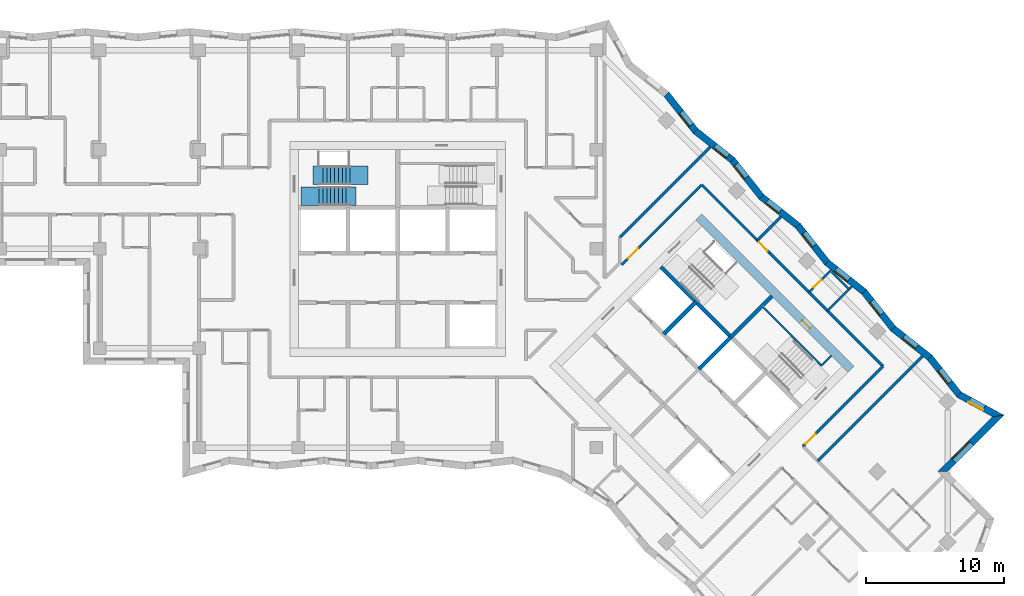
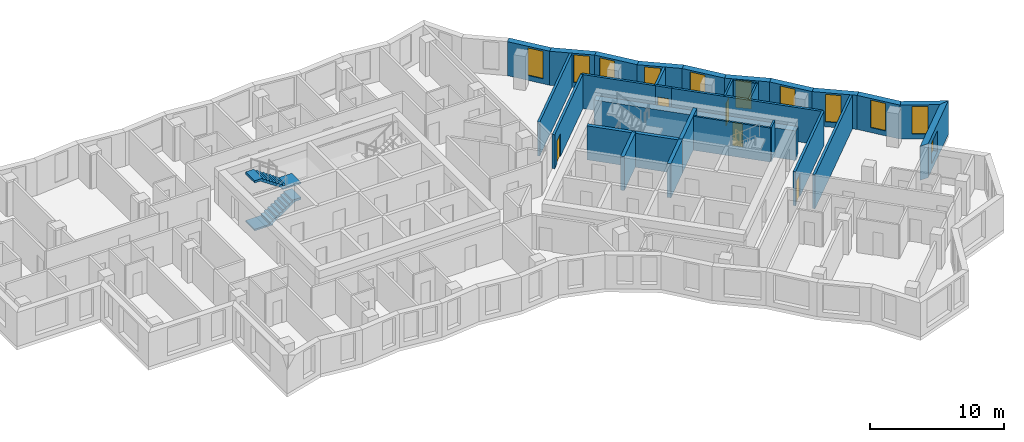
# One storey, part 9 of 12: 29 walls, 11 windows, 5 doors, 2 stair flights, 16 openings, 1 element without a shape of its own.
"""IFC4 building model written with IfcOpenShell, lengths in metres."""

import ifcopenshell
import ifcopenshell.guid

model = None  # the IFC model being written
_history = None  # IfcOwnerHistory: only IFC2X3 demands one
_inside = {}  # id of a spatial element -> (the spatial element, [elements in it])
_under = {}  # id of a project, library or spatial element -> (it, [spatial elements below it])
_declared = {}  # id of a project -> (the project, [libraries it declares])
_typed = {}  # id of a type object -> (the type object, [elements of that type])
_made_of = {}  # id of a material, layer set ... -> (it, [elements and type objects made of it])


def new_model(schema):
    """Start an empty IFC model of exactly this schema.

    Asked for "IFC4X3", IfcOpenShell would pick the latest addendum, in which some entities
    have other attributes; the version numbers below select the first issue.
    IFC2X3 requires an IfcOwnerHistory on every rooted entity: one is made here for all.
    """
    global model, _history
    if schema == "IFC4X3":
        model = ifcopenshell.file(schema_version=(4, 3, 0, 0))
    else:
        model = ifcopenshell.file(schema=schema)
    _inside.clear()
    _under.clear()
    _declared.clear()
    _typed.clear()
    _made_of.clear()
    _history = None
    if model.schema == "IFC2X3":
        org = make("IfcOrganization", Name="unknown")
        user = make(
            "IfcPersonAndOrganization",
            ThePerson=make("IfcPerson", FamilyName="unknown"),
            TheOrganization=org,
        )
        app = make(
            "IfcApplication",
            ApplicationDeveloper=org,
            Version="unknown",
            ApplicationFullName="unknown",
            ApplicationIdentifier="unknown",
        )
        _history = make(
            "IfcOwnerHistory",
            OwningUser=user,
            OwningApplication=app,
            ChangeAction="ADDED",
            CreationDate=0,
        )
    return model


def make(cls, **values):
    """One entity of the class cls with the attributes given. An attribute that is None is left unset."""
    return model.create_entity(
        cls, **{name: value for name, value in values.items() if value is not None}
    )


def rooted(cls, **values):
    """An entity with a GlobalId (a new one), such as an element, a storey or a relation."""
    return make(cls, GlobalId=ifcopenshell.guid.new(), OwnerHistory=_history, **values)


def si_unit(unit_type, name, prefix=None):
    """IfcSIUnit, for example si_unit("LENGTHUNIT", "METRE", prefix="MILLI")."""
    return make("IfcSIUnit", UnitType=unit_type, Prefix=prefix, Name=name)


def assignment(units):
    """IfcUnitAssignment: the units of a project."""
    return None if units is None else make("IfcUnitAssignment", Units=units)


def point(xyz):
    """IfcCartesianPoint."""
    return None if xyz is None else make("IfcCartesianPoint", Coordinates=xyz)


def direction(xyz):
    """IfcDirection."""
    return None if xyz is None else make("IfcDirection", DirectionRatios=xyz)


def frame(location, z_axis=None, x_axis=None):
    """IfcAxis2Placement3D, a coordinate frame: its origin and axes. An axis left out is left unset."""
    return make(
        "IfcAxis2Placement3D",
        Location=point(location),
        Axis=direction(z_axis),
        RefDirection=direction(x_axis),
    )


def frame_2d(location, x_axis=None):
    """IfcAxis2Placement2D, a coordinate frame in the plane: its origin and x axis."""
    return make(
        "IfcAxis2Placement2D", Location=point(location), RefDirection=direction(x_axis)
    )


def origin():
    """The frame at (0, 0, 0) with its axes left unset."""
    return frame((0.0, 0.0, 0.0))


def place(relative_to, where):
    """IfcLocalPlacement: puts the frame where relative to a parent placement (None: the world)."""
    return make(
        "IfcLocalPlacement", PlacementRelTo=relative_to, RelativePlacement=where
    )


def context(
    kind, dimensions, precision=None, world=None, true_north=None, identifier=None
):
    """IfcGeometricRepresentationContext, for example the 3D "Model" context."""
    return make(
        "IfcGeometricRepresentationContext",
        ContextIdentifier=identifier,
        ContextType=kind,
        CoordinateSpaceDimension=dimensions,
        Precision=precision,
        WorldCoordinateSystem=world,
        TrueNorth=true_north,
    )


def subcontext(parent, identifier, kind, view, scale=None):
    """IfcGeometricRepresentationSubContext, for example "Body" below "Model"."""
    return make(
        "IfcGeometricRepresentationSubContext",
        ContextIdentifier=identifier,
        ContextType=kind,
        ParentContext=parent,
        TargetScale=scale,
        TargetView=view,
    )


def project(units=None, contexts=None):
    """IfcProject with its units and contexts."""
    return rooted(
        "IfcProject",
        Name="project",
        RepresentationContexts=contexts,
        UnitsInContext=assignment(units),
    )


def spatial(cls, under=None, at=None, **own):
    """A site, building, storey or space (cls), placed at a placement, below another one or the project."""
    s = rooted(cls, ObjectPlacement=at, **own)
    if under is not None:
        _under.setdefault(under.id(), (under, []))[1].append(s)
    return s


def polyline(points):
    """IfcPolyline through the points."""
    return make("IfcPolyline", Points=[point(p) for p in points])


def profile(cls, at=None, kind="AREA", **sizes):
    """A parametric profile (cls). Its sizes go by their IFC names, for example OverallWidth=200.0."""
    return make(cls, ProfileType=kind, Position=at, **sizes)


def rectangle(**sizes):
    """IfcRectangleProfileDef."""
    return profile("IfcRectangleProfileDef", **sizes)


def outline(outer, holes=None, kind="AREA"):
    """IfcArbitraryClosedProfileDef: a profile drawn as a closed curve; with holes, ...WithVoids."""
    if holes is None:
        return make("IfcArbitraryClosedProfileDef", ProfileType=kind, OuterCurve=outer)
    return make(
        "IfcArbitraryProfileDefWithVoids",
        ProfileType=kind,
        OuterCurve=outer,
        InnerCurves=holes,
    )


def extrude(swept, where, along, depth):
    """IfcExtrudedAreaSolid: the profile swept, set in the frame where, extruded along a direction by depth."""
    return make(
        "IfcExtrudedAreaSolid",
        SweptArea=swept,
        Position=where,
        ExtrudedDirection=direction(along),
        Depth=depth,
    )


def shape(context_of_items, identifier, shape_type, items):
    """IfcShapeRepresentation: the items that make up one representation, for example the "Body"."""
    return make(
        "IfcShapeRepresentation",
        ContextOfItems=context_of_items,
        RepresentationIdentifier=identifier,
        RepresentationType=shape_type,
        Items=items,
    )


def material(Name=None, Category=None):
    """IfcMaterial."""
    return make("IfcMaterial", Name=Name, Category=Category)


def layer(
    of_material, thickness, ventilated=None, Name=None, Category=None, Priority=None
):
    """IfcMaterialLayer: one layer of a wall or slab, of a material (None: an air gap)."""
    return make(
        "IfcMaterialLayer",
        Material=of_material,
        LayerThickness=thickness,
        IsVentilated=ventilated,
        Name=Name,
        Category=Category,
        Priority=Priority,
    )


def layer_set(layers, Name=None):
    """IfcMaterialLayerSet."""
    return make("IfcMaterialLayerSet", MaterialLayers=layers, LayerSetName=Name)


def made_of(thing, what):
    """Note that an element or type object is made of a material, layer set ...; save() writes the relation."""
    if what is not None:
        _made_of.setdefault(what.id(), (what, []))[1].append(thing)
    return thing


def type_object(cls, material=None, **own):
    """A type object (cls), such as IfcWallType, which elements share."""
    return made_of(rooted(cls, **own), material)


def element(
    cls,
    number,
    at=None,
    inside=None,
    cuts=None,
    type_object=None,
    material=None,
    context=None,
    identifier="Body",
    shape_type=None,
    held_by="IfcProductDefinitionShape",
    body=None,
    shapes=None,
    **own,
):
    """One element of the class cls, such as IfcWall. Its Tag is "e" and its number.

    at: its placement. inside: the storey or other place that contains it. cuts: it is an
    opening in that element (IfcRelVoidsElement). A single representation is given by context,
    identifier, shape_type and body (its items); several are given by shapes. held_by: the class
    of the entity that holds the representations. save() writes the other relations.
    """
    e = rooted(cls, Tag="e%d" % number, ObjectPlacement=at, **own)
    if body is not None:
        shapes = [shape(context, identifier, shape_type, body)]
    if shapes is not None:
        e.Representation = make(held_by, Representations=shapes)
    if inside is not None:
        _inside.setdefault(inside.id(), (inside, []))[1].append(e)
    if cuts is not None:
        rooted(
            "IfcRelVoidsElement", RelatingBuildingElement=cuts, RelatedOpeningElement=e
        )
    if type_object is not None:
        _typed.setdefault(type_object.id(), (type_object, []))[1].append(e)
    return made_of(e, material)


def fill(opening, filler):
    """IfcRelFillsElement: the door or window that sits in an opening."""
    return rooted(
        "IfcRelFillsElement",
        RelatingOpeningElement=opening,
        RelatedBuildingElement=filler,
    )


def aggregate(whole, parts):
    """IfcRelAggregates: a whole, such as a stair, and the parts it consists of."""
    return rooted("IfcRelAggregates", RelatingObject=whole, RelatedObjects=parts)


def save(model, path):
    """Write the relations noted so far, then the file.

    IfcRelAggregates (storeys below a building ...), IfcRelContainedInSpatialStructure (elements
    in a storey), IfcRelDefinesByType, IfcRelAssociatesMaterial and IfcRelDeclares: one each for
    every whole, place, type object, material and project.
    """
    for whole, parts in _under.values():
        aggregate(whole, parts)
    for where, things in _inside.values():
        rooted(
            "IfcRelContainedInSpatialStructure",
            RelatedElements=things,
            RelatingStructure=where,
        )
    for kind, things in _typed.values():
        rooted("IfcRelDefinesByType", RelatedObjects=things, RelatingType=kind)
    for what, things in _made_of.values():
        rooted("IfcRelAssociatesMaterial", RelatedObjects=things, RelatingMaterial=what)
    for by, libraries in _declared.values():
        rooted("IfcRelDeclares", RelatingContext=by, RelatedDefinitions=libraries)
    model.write(path)


model = new_model("IFC4")

# Units and contexts
model_context = context("Model", 3, precision=1e-05, world=origin(), true_north=direction((0.0, 1.0)))
body_context = subcontext(model_context, "Body", "Model", "MODEL_VIEW")
ifc_project = project(units=[si_unit("LENGTHUNIT", "METRE"), si_unit("AREAUNIT", "SQUARE_METRE"), si_unit("VOLUMEUNIT", "CUBIC_METRE"), si_unit("PLANEANGLEUNIT", "RADIAN"), si_unit("MASSUNIT", "GRAM", prefix="KILO")], contexts=[model_context])

# Site, building, storey
site_placement = place(None, origin())
site = spatial("IfcSite", under=ifc_project, at=site_placement, CompositionType="ELEMENT")
building_placement = place(site_placement, origin())
building = spatial("IfcBuilding", under=site, at=building_placement, Name="Windrow Commons", CompositionType="ELEMENT")
storey_placement = place(building_placement, frame((0.0, 0.0, 145.6)))
storey = spatial("IfcBuildingStorey", under=building, at=storey_placement, Name="L39", CompositionType="ELEMENT", Elevation=145.6)

# Wall, opening, window
ifc_material_1 = material(Name="Brick masonry, red clay brick", Category="masonry")
ifc_layer_1 = layer(ifc_material_1, 0.5)
ifc_layer_set_1 = layer_set([ifc_layer_1], Name="Brick facade wall 500")
wall_type_1 = type_object("IfcWallType", Name="Brick facade wall 500", PredefinedType="SOLIDWALL", material=ifc_layer_set_1)
wall_1_placement = place(storey_placement, frame((104.3022, 41.453, 0.0), z_axis=(0.0, 0.0, 1.0), x_axis=(0.7071155421, 0.7070980202, 0.0)))
wall_1 = element("IfcWall", 1, at=wall_1_placement, inside=storey, type_object=wall_type_1, Name="Brick facade wall L39 6", PredefinedType="SOLIDWALL", context=body_context, shape_type="SweptSolid", body=[
    extrude(outline(polyline([(0.25, -0.25), (6.0411, -0.25), (5.3732, 0.25), (-0.25, 0.25), (0.25, -0.25)])), origin(), (0.0, 0.0, 1.0), 3.1),
])
opening_1_placement = place(wall_1_placement, frame((1.125, 0.0, 0.6)))
opening_1 = element("IfcOpeningElement", 2, at=opening_1_placement, cuts=wall_1, Name="Opening W1L", PredefinedType="OPENING", context=body_context, shape_type="SweptSolid", body=[
    extrude(rectangle(XDim=1.8, YDim=1.9, at=frame_2d((0.9, 0.95))), frame((0.0, 0.26, 0.0), z_axis=(0.0, -1.0, 0.0), x_axis=(1.0, 0.0, 0.0)), (0.0, 0.0, 1.0), 0.52),
])
ifc_material_2 = material(Name="Clear float glass in anodised aluminium frame", Category="aluminium")
window_type_1 = type_object("IfcWindowType", Name="Window W1L bedroom 1800x1900", PartitioningType="SINGLE_PANEL", PredefinedType="WINDOW", material=ifc_material_2)
window_1_placement = place(opening_1_placement, origin())
window_1 = element("IfcWindow", 3, at=window_1_placement, inside=storey, type_object=window_type_1, Name="Window L39 6.1", OverallHeight=1.9, OverallWidth=1.8, PartitioningType="SINGLE_PANEL", PredefinedType="WINDOW", context=body_context, shape_type="SweptSolid", body=[
    extrude(rectangle(XDim=1.8, YDim=1.9, at=frame_2d((0.9, 0.95))), frame((0.0, 0.18, 0.0), z_axis=(0.0, -1.0, 0.0), x_axis=(1.0, 0.0, 0.0)), (0.0, 0.0, 1.0), 0.06),
])
fill(opening_1, window_1)

wall_2_placement = place(storey_placement, frame((108.3378, 45.4885, 0.0), z_axis=(0.0, 0.0, 1.0), x_axis=(-0.8776615504, 0.4792809227, 0.0)))
wall_2 = element("IfcWall", 4, at=wall_2_placement, inside=storey, type_object=wall_type_1, Name="Brick facade wall L39 7", PredefinedType="SOLIDWALL", context=body_context, shape_type="SweptSolid", body=[
    extrude(outline(polyline([(-0.3339, -0.25), (3.1841, -0.25), (3.2857, 0.25), (0.3339, 0.25), (-0.3339, -0.25)])), origin(), (0.0, 0.0, 1.0), 3.1),
])
opening_2_placement = place(wall_2_placement, frame((1.1844, 0.0, 0.45)))
opening_2 = element("IfcOpeningElement", 5, at=opening_2_placement, cuts=wall_2, Name="Opening W7E", PredefinedType="OPENING", context=body_context, shape_type="SweptSolid", body=[
    extrude(rectangle(XDim=1.2, YDim=2.5, at=frame_2d((0.6, 1.25))), frame((0.0, 0.26, 0.0), z_axis=(0.0, -1.0, 0.0), x_axis=(1.0, 0.0, 0.0)), (0.0, 0.0, 1.0), 0.52),
])
ifc_material_3 = material(Name="Clear float glass in anodised aluminium frame", Category="aluminium")
window_type_2 = type_object("IfcWindowType", Name="Window W7 notch 1200x2500", PartitioningType="SINGLE_PANEL", PredefinedType="WINDOW", material=ifc_material_3)
window_2_placement = place(opening_2_placement, origin())
window_2 = element("IfcWindow", 6, at=window_2_placement, inside=storey, type_object=window_type_2, Name="Window L39 7.1", OverallHeight=2.5, OverallWidth=1.2, PartitioningType="SINGLE_PANEL", PredefinedType="WINDOW", context=body_context, shape_type="SweptSolid", body=[
    extrude(rectangle(XDim=1.2, YDim=2.5, at=frame_2d((0.6, 1.25))), frame((0.0, 0.18, 0.0), z_axis=(0.0, -1.0, 0.0), x_axis=(1.0, 0.0, 0.0)), (0.0, 0.0, 1.0), 0.06),
])
fill(opening_2, window_2)

wall_3_placement = place(storey_placement, frame((105.4987, 47.0389, 0.0), z_axis=(0.0, 0.0, 1.0), x_axis=(-0.6210369057, 0.7837813227, 0.0)))
wall_3 = element("IfcWall", 7, at=wall_3_placement, inside=storey, type_object=wall_type_1, Name="Brick facade wall L39 8", PredefinedType="SOLIDWALL", context=body_context, shape_type="SweptSolid", body=[
    extrude(outline(polyline([(0.0508, -0.25), (3.449, -0.25), (3.3911, 0.25), (-0.0508, 0.25), (0.0508, -0.25)])), origin(), (0.0, 0.0, 1.0), 3.1),
])
opening_3_placement = place(wall_3_placement, frame((1.0955, 0.0, 0.45)))
opening_3 = element("IfcOpeningElement", 8, at=opening_3_placement, cuts=wall_3, Name="Opening W7E", PredefinedType="OPENING", context=body_context, shape_type="SweptSolid", body=[
    extrude(rectangle(XDim=1.2, YDim=2.5, at=frame_2d((0.6, 1.25))), frame((0.0, 0.26, 0.0), z_axis=(0.0, -1.0, 0.0), x_axis=(1.0, 0.0, 0.0)), (0.0, 0.0, 1.0), 0.52),
])
window_3_placement = place(opening_3_placement, origin())
window_3 = element("IfcWindow", 9, at=window_3_placement, inside=storey, type_object=window_type_2, Name="Window L39 8.1", OverallHeight=2.5, OverallWidth=1.2, PartitioningType="SINGLE_PANEL", PredefinedType="WINDOW", context=body_context, shape_type="SweptSolid", body=[
    extrude(rectangle(XDim=1.2, YDim=2.5, at=frame_2d((0.6, 1.25))), frame((0.0, 0.18, 0.0), z_axis=(0.0, -1.0, 0.0), x_axis=(1.0, 0.0, 0.0)), (0.0, 0.0, 1.0), 0.06),
])
fill(opening_3, window_3)

wall_4_placement = place(storey_placement, frame((103.3747, 49.7195, 0.0), z_axis=(0.0, 0.0, 1.0), x_axis=(-0.7837772273, 0.6210420742, 0.0)))
wall_4 = element("IfcWall", 10, at=wall_4_placement, inside=storey, type_object=wall_type_1, Name="Brick facade wall L39 9", PredefinedType="SOLIDWALL", context=body_context, shape_type="SweptSolid", body=[
    extrude(outline(polyline([(-0.029, -0.25), (3.3692, -0.25), (3.4272, 0.25), (0.029, 0.25), (-0.029, -0.25)])), origin(), (0.0, 0.0, 1.0), 3.1),
])
opening_4_placement = place(wall_4_placement, frame((1.225, 0.0, 0.45)))
opening_4 = element("IfcOpeningElement", 11, at=opening_4_placement, cuts=wall_4, Name="Opening W7E", PredefinedType="OPENING", context=body_context, shape_type="SweptSolid", body=[
    extrude(rectangle(XDim=1.2, YDim=2.5, at=frame_2d((0.6, 1.25))), frame((0.0, 0.26, 0.0), z_axis=(0.0, -1.0, 0.0), x_axis=(1.0, 0.0, 0.0)), (0.0, 0.0, 1.0), 0.52),
])
window_4_placement = place(opening_4_placement, origin())
window_4 = element("IfcWindow", 12, at=window_4_placement, inside=storey, type_object=window_type_2, Name="Window L39 9.1", OverallHeight=2.5, OverallWidth=1.2, PartitioningType="SINGLE_PANEL", PredefinedType="WINDOW", context=body_context, shape_type="SweptSolid", body=[
    extrude(rectangle(XDim=1.2, YDim=2.5, at=frame_2d((0.6, 1.25))), frame((0.0, 0.18, 0.0), z_axis=(0.0, -1.0, 0.0), x_axis=(1.0, 0.0, 0.0)), (0.0, 0.0, 1.0), 0.06),
])
fill(opening_4, window_4)

wall_5_placement = place(storey_placement, frame((100.7113, 51.8299, 0.0), z_axis=(0.0, 0.0, 1.0), x_axis=(-0.6210601514, 0.7837629032, 0.0)))
wall_5 = element("IfcWall", 13, at=wall_5_placement, inside=storey, type_object=wall_type_1, Name="Brick facade wall L39 10", PredefinedType="SOLIDWALL", context=body_context, shape_type="SweptSolid", body=[
    extrude(outline(polyline([(0.029, -0.25), (3.4272, -0.25), (3.3692, 0.25), (-0.029, 0.25), (0.029, -0.25)])), origin(), (0.0, 0.0, 1.0), 3.1),
])
opening_5_placement = place(wall_5_placement, frame((1.3234, 0.0, 0.45)))
opening_5 = element("IfcOpeningElement", 14, at=opening_5_placement, cuts=wall_5, Name="Opening W7E", PredefinedType="OPENING", context=body_context, shape_type="SweptSolid", body=[
    extrude(rectangle(XDim=1.2, YDim=2.5, at=frame_2d((0.6, 1.25))), frame((0.0, 0.26, 0.0), z_axis=(0.0, -1.0, 0.0), x_axis=(1.0, 0.0, 0.0)), (0.0, 0.0, 1.0), 0.52),
])
window_5_placement = place(opening_5_placement, origin())
window_5 = element("IfcWindow", 15, at=window_5_placement, inside=storey, type_object=window_type_2, Name="Window L39 10.1", OverallHeight=2.5, OverallWidth=1.2, PartitioningType="SINGLE_PANEL", PredefinedType="WINDOW", context=body_context, shape_type="SweptSolid", body=[
    extrude(rectangle(XDim=1.2, YDim=2.5, at=frame_2d((0.6, 1.25))), frame((0.0, 0.18, 0.0), z_axis=(0.0, -1.0, 0.0), x_axis=(1.0, 0.0, 0.0)), (0.0, 0.0, 1.0), 0.06),
])
fill(opening_5, window_5)

wall_6_placement = place(storey_placement, frame((98.6008, 54.4933, 0.0), z_axis=(0.0, 0.0, 1.0), x_axis=(-0.7837629032, 0.6210601514, 0.0)))
wall_6 = element("IfcWall", 16, at=wall_6_placement, inside=storey, type_object=wall_type_1, Name="Brick facade wall L39 11", PredefinedType="SOLIDWALL", context=body_context, shape_type="SweptSolid", body=[
    extrude(outline(polyline([(-0.029, -0.25), (3.3692, -0.25), (3.4272, 0.25), (0.029, 0.25), (-0.029, -0.25)])), origin(), (0.0, 0.0, 1.0), 3.1),
])
opening_6_placement = place(wall_6_placement, frame((1.4009, 0.0, 0.45)))
opening_6 = element("IfcOpeningElement", 17, at=opening_6_placement, cuts=wall_6, Name="Opening W7E", PredefinedType="OPENING", context=body_context, shape_type="SweptSolid", body=[
    extrude(rectangle(XDim=1.2, YDim=2.5, at=frame_2d((0.6, 1.25))), frame((0.0, 0.26, 0.0), z_axis=(0.0, -1.0, 0.0), x_axis=(1.0, 0.0, 0.0)), (0.0, 0.0, 1.0), 0.52),
])
window_6_placement = place(opening_6_placement, origin())
window_6 = element("IfcWindow", 18, at=window_6_placement, inside=storey, type_object=window_type_2, Name="Window L39 11.1", OverallHeight=2.5, OverallWidth=1.2, PartitioningType="SINGLE_PANEL", PredefinedType="WINDOW", context=body_context, shape_type="SweptSolid", body=[
    extrude(rectangle(XDim=1.2, YDim=2.5, at=frame_2d((0.6, 1.25))), frame((0.0, 0.18, 0.0), z_axis=(0.0, -1.0, 0.0), x_axis=(1.0, 0.0, 0.0)), (0.0, 0.0, 1.0), 0.06),
])
fill(opening_6, window_6)

wall_7_placement = place(storey_placement, frame((95.9374, 56.6038, 0.0), z_axis=(0.0, 0.0, 1.0), x_axis=(-0.6210601514, 0.7837629032, 0.0)))
wall_7 = element("IfcWall", 19, at=wall_7_placement, inside=storey, type_object=wall_type_1, Name="Brick facade wall L39 12", PredefinedType="SOLIDWALL", context=body_context, shape_type="SweptSolid", body=[
    extrude(outline(polyline([(0.029, -0.25), (3.4272, -0.25), (3.3692, 0.25), (-0.029, 0.25), (0.029, -0.25)])), origin(), (0.0, 0.0, 1.0), 3.1),
])
opening_7_placement = place(wall_7_placement, frame((1.5493, 0.0, 0.45)))
opening_7 = element("IfcOpeningElement", 20, at=opening_7_placement, cuts=wall_7, Name="Opening W7E", PredefinedType="OPENING", context=body_context, shape_type="SweptSolid", body=[
    extrude(rectangle(XDim=1.2, YDim=2.5, at=frame_2d((0.6, 1.25))), frame((0.0, 0.26, 0.0), z_axis=(0.0, -1.0, 0.0), x_axis=(1.0, 0.0, 0.0)), (0.0, 0.0, 1.0), 0.52),
])
window_7_placement = place(opening_7_placement, origin())
window_7 = element("IfcWindow", 21, at=window_7_placement, inside=storey, type_object=window_type_2, Name="Window L39 12.1", OverallHeight=2.5, OverallWidth=1.2, PartitioningType="SINGLE_PANEL", PredefinedType="WINDOW", context=body_context, shape_type="SweptSolid", body=[
    extrude(rectangle(XDim=1.2, YDim=2.5, at=frame_2d((0.6, 1.25))), frame((0.0, 0.18, 0.0), z_axis=(0.0, -1.0, 0.0), x_axis=(1.0, 0.0, 0.0)), (0.0, 0.0, 1.0), 0.06),
])
fill(opening_7, window_7)

wall_8_placement = place(storey_placement, frame((93.8269, 59.2672, 0.0), z_axis=(0.0, 0.0, 1.0), x_axis=(-0.7837772273, 0.6210420742, 0.0)))
wall_8 = element("IfcWall", 22, at=wall_8_placement, inside=storey, type_object=wall_type_1, Name="Brick facade wall L39 13", PredefinedType="SOLIDWALL", context=body_context, shape_type="SweptSolid", body=[
    extrude(outline(polyline([(-0.029, -0.25), (3.3692, -0.25), (3.4272, 0.25), (0.029, 0.25), (-0.029, -0.25)])), origin(), (0.0, 0.0, 1.0), 3.1),
])
opening_8_placement = place(wall_8_placement, frame((1.6767, 0.0, 0.45)))
opening_8 = element("IfcOpeningElement", 23, at=opening_8_placement, cuts=wall_8, Name="Opening W7E", PredefinedType="OPENING", context=body_context, shape_type="SweptSolid", body=[
    extrude(rectangle(XDim=1.2, YDim=2.5, at=frame_2d((0.6, 1.25))), frame((0.0, 0.26, 0.0), z_axis=(0.0, -1.0, 0.0), x_axis=(1.0, 0.0, 0.0)), (0.0, 0.0, 1.0), 0.52),
])
window_8_placement = place(opening_8_placement, origin())
window_8 = element("IfcWindow", 24, at=window_8_placement, inside=storey, type_object=window_type_2, Name="Window L39 13.1", OverallHeight=2.5, OverallWidth=1.2, PartitioningType="SINGLE_PANEL", PredefinedType="WINDOW", context=body_context, shape_type="SweptSolid", body=[
    extrude(rectangle(XDim=1.2, YDim=2.5, at=frame_2d((0.6, 1.25))), frame((0.0, 0.18, 0.0), z_axis=(0.0, -1.0, 0.0), x_axis=(1.0, 0.0, 0.0)), (0.0, 0.0, 1.0), 0.06),
])
fill(opening_8, window_8)

wall_9_placement = place(storey_placement, frame((91.1635, 61.3776, 0.0), z_axis=(0.0, 0.0, 1.0), x_axis=(-0.6210277503, 0.783788577, 0.0)))
wall_9 = element("IfcWall", 25, at=wall_9_placement, inside=storey, type_object=wall_type_1, Name="Brick facade wall L39 14", PredefinedType="SOLIDWALL", context=body_context, shape_type="SweptSolid", body=[
    extrude(outline(polyline([(0.029, -0.25), (3.4272, -0.25), (3.3692, 0.25), (-0.029, 0.25), (0.029, -0.25)])), origin(), (0.0, 0.0, 1.0), 3.1),
])
opening_9_placement = place(wall_9_placement, frame((1.7752, 0.0, 0.45)))
opening_9 = element("IfcOpeningElement", 26, at=opening_9_placement, cuts=wall_9, Name="Opening W7E", PredefinedType="OPENING", context=body_context, shape_type="SweptSolid", body=[
    extrude(rectangle(XDim=1.2, YDim=2.5, at=frame_2d((0.6, 1.25))), frame((0.0, 0.26, 0.0), z_axis=(0.0, -1.0, 0.0), x_axis=(1.0, 0.0, 0.0)), (0.0, 0.0, 1.0), 0.52),
])
window_9_placement = place(opening_9_placement, origin())
window_9 = element("IfcWindow", 27, at=window_9_placement, inside=storey, type_object=window_type_2, Name="Window L39 14.1", OverallHeight=2.5, OverallWidth=1.2, PartitioningType="SINGLE_PANEL", PredefinedType="WINDOW", context=body_context, shape_type="SweptSolid", body=[
    extrude(rectangle(XDim=1.2, YDim=2.5, at=frame_2d((0.6, 1.25))), frame((0.0, 0.18, 0.0), z_axis=(0.0, -1.0, 0.0), x_axis=(1.0, 0.0, 0.0)), (0.0, 0.0, 1.0), 0.06),
])
fill(opening_9, window_9)

wall_10_placement = place(storey_placement, frame((89.0531, 64.0411, 0.0), z_axis=(0.0, 0.0, 1.0), x_axis=(-0.7837772273, 0.6210420742, 0.0)))
wall_10 = element("IfcWall", 28, at=wall_10_placement, inside=storey, type_object=wall_type_1, Name="Brick facade wall L39 15", PredefinedType="SOLIDWALL", context=body_context, shape_type="SweptSolid", body=[
    extrude(outline(polyline([(-0.029, -0.25), (3.3692, -0.25), (3.4272, 0.25), (0.029, 0.25), (-0.029, -0.25)])), origin(), (0.0, 0.0, 1.0), 3.1),
])
opening_10_placement = place(wall_10_placement, frame((0.418, 0.0, 0.45)))
opening_10 = element("IfcOpeningElement", 29, at=opening_10_placement, cuts=wall_10, Name="Opening W7E", PredefinedType="OPENING", context=body_context, shape_type="SweptSolid", body=[
    extrude(rectangle(XDim=1.2, YDim=2.5, at=frame_2d((0.6, 1.25))), frame((0.0, 0.26, 0.0), z_axis=(0.0, -1.0, 0.0), x_axis=(1.0, 0.0, 0.0)), (0.0, 0.0, 1.0), 0.52),
])
window_10_placement = place(opening_10_placement, origin())
window_10 = element("IfcWindow", 30, at=window_10_placement, inside=storey, type_object=window_type_2, Name="Window L39 15.1", OverallHeight=2.5, OverallWidth=1.2, PartitioningType="SINGLE_PANEL", PredefinedType="WINDOW", context=body_context, shape_type="SweptSolid", body=[
    extrude(rectangle(XDim=1.2, YDim=2.5, at=frame_2d((0.6, 1.25))), frame((0.0, 0.18, 0.0), z_axis=(0.0, -1.0, 0.0), x_axis=(1.0, 0.0, 0.0)), (0.0, 0.0, 1.0), 0.06),
])
fill(opening_10, window_10)

wall_11_placement = place(storey_placement, frame((86.3897, 66.1515, 0.0), z_axis=(0.0, 0.0, 1.0), x_axis=(-0.6210601514, 0.7837629032, 0.0)))
wall_11 = element("IfcWall", 31, at=wall_11_placement, inside=storey, type_object=wall_type_1, Name="Brick facade wall L39 16", PredefinedType="SOLIDWALL", context=body_context, shape_type="SweptSolid", body=[
    extrude(outline(polyline([(0.029, -0.25), (3.4272, -0.25), (3.3692, 0.25), (-0.029, 0.25), (0.029, -0.25)])), origin(), (0.0, 0.0, 1.0), 3.1),
])
opening_11_placement = place(wall_11_placement, frame((0.5164, 0.0, 0.45)))
opening_11 = element("IfcOpeningElement", 32, at=opening_11_placement, cuts=wall_11, Name="Opening W7E", PredefinedType="OPENING", context=body_context, shape_type="SweptSolid", body=[
    extrude(rectangle(XDim=1.2, YDim=2.5, at=frame_2d((0.6, 1.25))), frame((0.0, 0.26, 0.0), z_axis=(0.0, -1.0, 0.0), x_axis=(1.0, 0.0, 0.0)), (0.0, 0.0, 1.0), 0.52),
])
window_11_placement = place(opening_11_placement, origin())
window_11 = element("IfcWindow", 33, at=window_11_placement, inside=storey, type_object=window_type_2, Name="Window L39 16.1", OverallHeight=2.5, OverallWidth=1.2, PartitioningType="SINGLE_PANEL", PredefinedType="WINDOW", context=body_context, shape_type="SweptSolid", body=[
    extrude(rectangle(XDim=1.2, YDim=2.5, at=frame_2d((0.6, 1.25))), frame((0.0, 0.18, 0.0), z_axis=(0.0, -1.0, 0.0), x_axis=(1.0, 0.0, 0.0)), (0.0, 0.0, 1.0), 0.06),
])
fill(opening_11, window_11)

# Wall
ifc_material_4 = material(Name="Blockwork partition", Category="masonry")
ifc_layer_2 = layer(ifc_material_4, 0.2)
ifc_layer_set_2 = layer_set([ifc_layer_2], Name="IW-CORRIDOR-200")
wall_type_2 = type_object("IfcWallType", Name="IW-CORRIDOR-200", PredefinedType="PARTITIONING", material=ifc_layer_set_2)
wall_12_placement = place(storey_placement, frame((91.7551, 57.3171, 0.0), z_axis=(0.0, 0.0, 1.0), x_axis=(0.7071067812, -0.7071067812, 0.0)))
element("IfcWall", 34, at=wall_12_placement, inside=storey, type_object=wall_type_2, Name="W-L39-W006", PredefinedType="PARTITIONING", context=body_context, shape_type="SweptSolid", body=[
    extrude(rectangle(XDim=11.639, YDim=0.2, at=frame_2d((5.8195, 0.0))), origin(), (0.0, 0.0, 1.0), 3.1),
])

# Wall, opening, door
wall_13_placement = place(storey_placement, frame((94.1898, 43.2922, 0.0), z_axis=(0.0, 0.0, 1.0), x_axis=(0.7071067812, 0.7071067812, 0.0)))
wall_13 = element("IfcWall", 35, at=wall_13_placement, inside=storey, type_object=wall_type_2, Name="W-L39-W011", PredefinedType="PARTITIONING", context=body_context, shape_type="SweptSolid", body=[
    extrude(rectangle(XDim=8.1996, YDim=0.2, at=frame_2d((4.0998, 0.0))), origin(), (0.0, 0.0, 1.0), 3.1),
])
opening_12_placement = place(wall_13_placement, frame((0.2506, 0.0, 0.0)))
opening_12 = element("IfcOpeningElement", 36, at=opening_12_placement, cuts=wall_13, Name="Opening D310F", PredefinedType="OPENING", context=body_context, shape_type="SweptSolid", body=[
    extrude(rectangle(XDim=1.0, YDim=2.1, at=frame_2d((0.5, 1.05))), frame((0.0, 0.11, 0.0), z_axis=(0.0, -1.0, 0.0), x_axis=(1.0, 0.0, 0.0)), (0.0, 0.0, 1.0), 0.22),
])
ifc_material_5 = material(Name="Timber door leaf", Category="wood")
door_type_1 = type_object("IfcDoorType", Name="DT-AMENITY-1000", OperationType="SINGLE_SWING_LEFT", PredefinedType="DOOR", material=ifc_material_5)
door_1_placement = place(opening_12_placement, origin())
door_1 = element("IfcDoor", 37, at=door_1_placement, inside=storey, type_object=door_type_1, Name="D-L39-D041", OperationType="SINGLE_SWING_RIGHT", OverallHeight=2.1, OverallWidth=1.0, PredefinedType="DOOR", context=body_context, shape_type="SweptSolid", body=[
    extrude(rectangle(XDim=1.0, YDim=2.1, at=frame_2d((0.5, 1.05))), frame((0.0, 0.025, 0.0), z_axis=(0.0, -1.0, 0.0), x_axis=(1.0, 0.0, 0.0)), (0.0, 0.0, 1.0), 0.05),
])
fill(opening_12, door_1)

wall_14_placement = place(storey_placement, frame((81.0376, 56.4444, 0.0), z_axis=(0.0, 0.0, 1.0), x_axis=(0.7071067812, 0.7071067812, 0.0)))
wall_14 = element("IfcWall", 38, at=wall_14_placement, inside=storey, type_object=wall_type_2, Name="W-L39-W012", PredefinedType="PARTITIONING", context=body_context, shape_type="SweptSolid", body=[
    extrude(rectangle(XDim=8.1996, YDim=0.2, at=frame_2d((4.0998, 0.0))), origin(), (0.0, 0.0, 1.0), 3.1),
])
opening_13_placement = place(wall_14_placement, frame((0.6596, 0.0, 0.0)))
opening_13 = element("IfcOpeningElement", 39, at=opening_13_placement, cuts=wall_14, Name="Opening D310F", PredefinedType="OPENING", context=body_context, shape_type="SweptSolid", body=[
    extrude(rectangle(XDim=1.0, YDim=2.1, at=frame_2d((0.5, 1.05))), frame((0.0, 0.11, 0.0), z_axis=(0.0, -1.0, 0.0), x_axis=(1.0, 0.0, 0.0)), (0.0, 0.0, 1.0), 0.22),
])
door_2_placement = place(opening_13_placement, origin())
door_2 = element("IfcDoor", 40, at=door_2_placement, inside=storey, type_object=door_type_1, Name="D-L39-D040", OperationType="SINGLE_SWING_RIGHT", OverallHeight=2.1, OverallWidth=1.0, PredefinedType="DOOR", context=body_context, shape_type="SweptSolid", body=[
    extrude(rectangle(XDim=1.0, YDim=2.1, at=frame_2d((0.5, 1.05))), frame((0.0, 0.025, 0.0), z_axis=(0.0, -1.0, 0.0), x_axis=(1.0, 0.0, 0.0)), (0.0, 0.0, 1.0), 0.05),
])
fill(opening_13, door_2)

# Wall
wall_15_placement = place(storey_placement, frame((86.8412, 62.2452, 0.0), z_axis=(0.0, 0.0, 1.0), x_axis=(0.7071067812, -0.7071067812, 0.0)))
element("IfcWall", 41, at=wall_15_placement, inside=storey, type_object=wall_type_2, Name="W-L39-W034", PredefinedType="PARTITIONING", context=body_context, shape_type="SweptSolid", body=[
    extrude(rectangle(XDim=5.6993, YDim=0.2, at=frame_2d((2.8497, 0.0))), origin(), (0.0, 0.0, 1.0), 3.1),
])

# Wall, opening, door
wall_16_placement = place(storey_placement, frame((90.8671, 58.2111, 0.0), z_axis=(0.0, 0.0, 1.0), x_axis=(0.706312726, -0.7078999456, 0.0)))
wall_16 = element("IfcWall", 42, at=wall_16_placement, inside=storey, type_object=wall_type_2, Name="W-L39-W148", PredefinedType="PARTITIONING", context=body_context, shape_type="SweptSolid", body=[
    extrude(rectangle(XDim=1.2601, YDim=0.2, at=frame_2d((0.63, 0.0))), origin(), (0.0, 0.0, 1.0), 3.1),
])
opening_14_placement = place(wall_16_placement, frame((0.1624, 0.0, 0.0)))
opening_14 = element("IfcOpeningElement", 43, at=opening_14_placement, cuts=wall_16, Name="Opening D109S", PredefinedType="OPENING", context=body_context, shape_type="SweptSolid", body=[
    extrude(rectangle(XDim=0.9, YDim=2.1, at=frame_2d((0.45, 1.05))), frame((0.0, 0.11, 0.0), z_axis=(0.0, -1.0, 0.0), x_axis=(1.0, 0.0, 0.0)), (0.0, 0.0, 1.0), 0.22),
])
ifc_material_6 = material(Name="Timber door leaf", Category="wood")
door_type_2 = type_object("IfcDoorType", Name="DT-BEDROOM-900", OperationType="SINGLE_SWING_LEFT", PredefinedType="DOOR", material=ifc_material_6)
door_3_placement = place(opening_14_placement, origin())
door_3 = element("IfcDoor", 44, at=door_3_placement, inside=storey, type_object=door_type_2, Name="D-L39-D044", OperationType="SINGLE_SWING_RIGHT", OverallHeight=2.1, OverallWidth=0.9, PredefinedType="DOOR", context=body_context, shape_type="SweptSolid", body=[
    extrude(rectangle(XDim=0.9, YDim=2.1, at=frame_2d((0.45, 1.05))), frame((0.0, 0.025, 0.0), z_axis=(0.0, -1.0, 0.0), x_axis=(1.0, 0.0, 0.0)), (0.0, 0.0, 1.0), 0.05),
])
fill(opening_14, door_3)

# Wall
ifc_material_7 = material(Name="Blockwork partition", Category="masonry")
ifc_layer_3 = layer(ifc_material_7, 0.15)
ifc_layer_set_3 = layer_set([ifc_layer_3], Name="IW-ENSUITE-150")
wall_type_3 = type_object("IfcWallType", Name="IW-ENSUITE-150", PredefinedType="PARTITIONING", material=ifc_layer_set_3)
wall_17_placement = place(storey_placement, frame((95.9573, 53.1207, 0.0), z_axis=(0.0, 0.0, 1.0), x_axis=(0.7071067812, 0.7071067812, 0.0)))
element("IfcWall", 45, at=wall_17_placement, inside=storey, type_object=wall_type_3, Name="W-L39-W064", PredefinedType="PARTITIONING", context=body_context, shape_type="SweptSolid", body=[
    extrude(rectangle(XDim=2.4841, YDim=0.15, at=frame_2d((1.2421, 0.0))), origin(), (0.0, 0.0, 1.0), 3.1),
])

# Wall, opening, door
wall_18_placement = place(storey_placement, frame((94.6138, 54.4642, 0.0), z_axis=(0.0, 0.0, 1.0), x_axis=(0.7070846955, 0.7071288662, 0.0)))
wall_18 = element("IfcWall", 46, at=wall_18_placement, inside=storey, type_object=wall_type_3, Name="W-L39-W106", PredefinedType="PARTITIONING", context=body_context, shape_type="SweptSolid", body=[
    extrude(rectangle(XDim=2.2639, YDim=0.15, at=frame_2d((1.132, 0.0))), origin(), (0.0, 0.0, 1.0), 3.1),
])
opening_15_placement = place(wall_18_placement, frame((0.4662, 0.0, 0.0)))
opening_15 = element("IfcOpeningElement", 47, at=opening_15_placement, cuts=wall_18, Name="Opening D208N", PredefinedType="OPENING", context=body_context, shape_type="SweptSolid", body=[
    extrude(rectangle(XDim=0.8, YDim=2.1, at=frame_2d((0.4, 1.05))), frame((0.0, 0.085, 0.0), z_axis=(0.0, -1.0, 0.0), x_axis=(1.0, 0.0, 0.0)), (0.0, 0.0, 1.0), 0.17),
])
ifc_material_8 = material(Name="Timber door leaf", Category="wood")
door_type_3 = type_object("IfcDoorType", Name="DT-ENSUITE-800", OperationType="SINGLE_SWING_LEFT", PredefinedType="DOOR", material=ifc_material_8)
door_4_placement = place(opening_15_placement, origin())
door_4 = element("IfcDoor", 48, at=door_4_placement, inside=storey, type_object=door_type_3, Name="D-L39-D045", OperationType="SINGLE_SWING_RIGHT", OverallHeight=2.1, OverallWidth=0.8, PredefinedType="DOOR", context=body_context, shape_type="SweptSolid", body=[
    extrude(rectangle(XDim=0.8, YDim=2.1, at=frame_2d((0.4, 1.05))), frame((0.0, 0.025, 0.0), z_axis=(0.0, -1.0, 0.0), x_axis=(1.0, 0.0, 0.0)), (0.0, 0.0, 1.0), 0.05),
])
fill(opening_15, door_4)

# Walls
wall_19_placement = place(storey_placement, frame((96.2708, 55.9128, 0.0), z_axis=(0.0, 0.0, 1.0), x_axis=(0.7071067812, -0.7071067812, 0.0)))
element("IfcWall", 49, at=wall_19_placement, inside=storey, type_object=wall_type_3, Name="W-L39-W138", PredefinedType="PARTITIONING", context=body_context, shape_type="SweptSolid", body=[
    extrude(rectangle(XDim=1.7536, YDim=0.15, at=frame_2d((0.8768, 0.0))), origin(), (0.0, 0.0, 1.0), 3.1),
])
ifc_material_9 = material(Name="Blockwork partition", Category="masonry")
ifc_layer_4 = layer(ifc_material_9, 0.2)
ifc_layer_set_4 = layer_set([ifc_layer_4], Name="IW-PARTY-200")
wall_type_4 = type_object("IfcWallType", Name="IW-PARTY-200", PredefinedType="PARTITIONING", material=ifc_layer_set_4)
wall_20_placement = place(storey_placement, frame((95.2504, 42.2316, 0.0), z_axis=(0.0, 0.0, 1.0), x_axis=(0.7071114386, 0.7071021238, 0.0)))
element("IfcWall", 50, at=wall_20_placement, inside=storey, type_object=wall_type_4, Name="W-L39-W007", PredefinedType="PARTITIONING", context=body_context, shape_type="SweptSolid", body=[
    extrude(rectangle(XDim=10.7356, YDim=0.2, at=frame_2d((5.3678, 0.0))), origin(), (0.0, 0.0, 1.0), 3.1),
])
wall_21_placement = place(storey_placement, frame((80.8989, 58.4271, 0.0), z_axis=(0.0, 0.0, 1.0), x_axis=(0.7071067812, 0.7071067812, 0.0)))
element("IfcWall", 51, at=wall_21_placement, inside=storey, type_object=wall_type_4, Name="W-L39-W009", PredefinedType="PARTITIONING", context=body_context, shape_type="SweptSolid", body=[
    extrude(rectangle(XDim=9.2758, YDim=0.2, at=frame_2d((4.6379, 0.0))), origin(), (0.0, 0.0, 1.0), 3.1),
])
wall_22_placement = place(storey_placement, frame((90.8669, 58.2131, 0.0), z_axis=(0.0, 0.0, 1.0), x_axis=(0.7066128767, 0.7076003409, 0.0)))
element("IfcWall", 52, at=wall_22_placement, inside=storey, type_object=wall_type_4, Name="W-L39-W097", PredefinedType="PARTITIONING", context=body_context, shape_type="SweptSolid", body=[
    extrude(rectangle(XDim=2.4305, YDim=0.2, at=frame_2d((1.2152, 0.0))), origin(), (0.0, 0.0, 1.0), 3.1),
])

# Wall, opening, door
ifc_material_10 = material(Name="Concrete C50/60", Category="concrete")
ifc_layer_5 = layer(ifc_material_10, 0.6)
ifc_layer_set_5 = layer_set([ifc_layer_5], Name="RC CORE WALL 600 C50/60")
wall_type_5 = type_object("IfcWallType", Name="RC CORE WALL 600 C50/60", PredefinedType="SHEAR", material=ifc_layer_set_5)
wall_23_placement = place(storey_placement, frame((86.6246, 59.9085, -0.3), z_axis=(0.0, 0.0, 1.0), x_axis=(0.7071067812, -0.7071067812, 0.0)))
wall_23 = element("IfcWall", 53, at=wall_23_placement, inside=storey, type_object=wall_type_5, Name="Core B wall outer-N", PredefinedType="SHEAR", context=body_context, shape_type="SweptSolid", body=[
    extrude(rectangle(XDim=15.6, YDim=0.6, at=frame_2d((7.8, 0.0))), origin(), (0.0, 0.0, 1.0), 2.7),
])
opening_16_placement = place(wall_23_placement, frame((10.6, 0.0, 0.3)))
opening_16 = element("IfcOpeningElement", 54, at=opening_16_placement, cuts=wall_23, Name="Opening D9", PredefinedType="OPENING", context=body_context, shape_type="SweptSolid", body=[
    extrude(rectangle(XDim=0.8, YDim=2.1, at=frame_2d((0.4, 1.05))), frame((0.0, 0.31, 0.0), z_axis=(0.0, -1.0, 0.0), x_axis=(1.0, 0.0, 0.0)), (0.0, 0.0, 1.0), 0.62),
])
ifc_material_11 = material(Name="Steel fire door leaf", Category="steel")
door_type_4 = type_object("IfcDoorType", Name="Riser access door 800", OperationType="SINGLE_SWING_LEFT", PredefinedType="DOOR", material=ifc_material_11)
door_5_placement = place(opening_16_placement, origin())
door_5 = element("IfcDoor", 55, at=door_5_placement, inside=storey, type_object=door_type_4, Name="Riser access door", OperationType="SINGLE_SWING_RIGHT", OverallHeight=2.1, OverallWidth=0.8, PredefinedType="DOOR", context=body_context, shape_type="SweptSolid", body=[
    extrude(rectangle(XDim=0.8, YDim=2.1, at=frame_2d((0.4, 1.05))), frame((0.0, 0.025, 0.0), z_axis=(0.0, -1.0, 0.0), x_axis=(1.0, 0.0, 0.0)), (0.0, 0.0, 1.0), 0.05),
])
fill(opening_16, door_5)

# Walls
ifc_material_12 = material(Name="Concrete C50/60", Category="concrete")
ifc_layer_6 = layer(ifc_material_12, 0.3)
ifc_layer_set_6 = layer_set([ifc_layer_6], Name="RC SHAFT WALL 300 C50/60")
wall_type_6 = type_object("IfcWallType", Name="RC SHAFT WALL 300 C50/60", PredefinedType="SOLIDWALL", material=ifc_layer_set_6)
wall_24_placement = place(storey_placement, frame((84.079, 51.4232, 0.0), z_axis=(0.0, 0.0, 1.0), x_axis=(0.7071219326, 0.7070916295, 0.0)))
element("IfcWall", 56, at=wall_24_placement, inside=storey, type_object=wall_type_6, Name="Core B wall shaft-N1", PredefinedType="SOLIDWALL", context=body_context, shape_type="SweptSolid", body=[
    extrude(rectangle(XDim=3.3, YDim=0.3, at=frame_2d((1.65, 0.0))), origin(), (0.0, 0.0, 1.0), 3.1),
])
wall_25_placement = place(storey_placement, frame((86.6246, 48.8776, 0.0), z_axis=(0.0, 0.0, 1.0), x_axis=(0.7071067812, 0.7071067812, 0.0)))
element("IfcWall", 57, at=wall_25_placement, inside=storey, type_object=wall_type_6, Name="Core B wall shaft-N2", PredefinedType="SOLIDWALL", context=body_context, shape_type="SweptSolid", body=[
    extrude(rectangle(XDim=3.3001, YDim=0.3, at=frame_2d((1.6501, 0.0))), origin(), (0.0, 0.0, 1.0), 3.1),
])
wall_26_placement = place(storey_placement, frame((83.8669, 56.3022, 0.0), z_axis=(0.0, 0.0, 1.0), x_axis=(0.7071137256, -0.7070998367, 0.0)))
element("IfcWall", 58, at=wall_26_placement, inside=storey, type_object=wall_type_6, Name="Core B wall stair-S", PredefinedType="SOLIDWALL", context=body_context, shape_type="SweptSolid", body=[
    extrude(rectangle(XDim=7.2, YDim=0.3, at=frame_2d((3.6, 0.0))), origin(), (0.0, 0.0, 1.0), 3.1),
])
wall_27_placement = place(storey_placement, frame((88.9581, 51.2111, 0.0), z_axis=(0.0, 0.0, 1.0), x_axis=(0.7071067812, 0.7071067812, 0.0)))
element("IfcWall", 59, at=wall_27_placement, inside=storey, type_object=wall_type_6, Name="Core B wall stair-mid", PredefinedType="SOLIDWALL", context=body_context, shape_type="SweptSolid", body=[
    extrude(rectangle(XDim=4.1999, YDim=0.3, at=frame_2d((2.1, 0.0))), origin(), (0.0, 0.0, 1.0), 3.1),
])
ifc_material_13 = material(Name="Blockwork partition", Category="masonry")
ifc_layer_7 = layer(ifc_material_13, 0.15)
ifc_layer_set_7 = layer_set([ifc_layer_7], Name="Riser partition 150")
wall_type_7 = type_object("IfcWallType", Name="Riser partition 150", PredefinedType="PARTITIONING", material=ifc_layer_set_7)
wall_28_placement = place(storey_placement, frame((91.3127, 53.3536, 0.0), z_axis=(0.0, 0.0, 1.0), x_axis=(0.7071067812, -0.7071067812, 0.0)))
element("IfcWall", 60, at=wall_28_placement, inside=storey, type_object=wall_type_7, Name="W-core-strip-B-L39", PredefinedType="PARTITIONING", context=body_context, shape_type="SweptSolid", body=[
    extrude(rectangle(XDim=5.95, YDim=0.15, at=frame_2d((2.975, 0.0))), origin(), (0.0, 0.0, 1.0), 3.1),
])
wall_29_placement = place(storey_placement, frame((95.52, 49.1463, 0.0), z_axis=(0.0, 0.0, 1.0), x_axis=(0.7071067812, 0.7071067812, 0.0)))
element("IfcWall", 61, at=wall_29_placement, inside=storey, type_object=wall_type_7, Name="W-core-stripx-B-L39-1", PredefinedType="PARTITIONING", context=body_context, shape_type="SweptSolid", body=[
    extrude(rectangle(XDim=1.0201, YDim=0.15, at=frame_2d((0.5101, 0.0))), origin(), (0.0, 0.0, 1.0), 3.1),
])

# Stair, stair flights
ifc_material_14 = material(Name="Concrete C40/50", Category="concrete")
stair_type = type_object("IfcStairType", Name="Core stair", PredefinedType="HALF_TURN_STAIR", material=ifc_material_14)
stair_placement = place(storey_placement, origin())
stair = element("IfcStair", 62, at=stair_placement, inside=storey, type_object=stair_type, Name="L39 Exit stair A1 core A", PredefinedType="HALF_TURN_STAIR")
ifc_material_15 = material(Name="Concrete C40/50", Category="concrete")
stair_flight_type = type_object("IfcStairFlightType", Name="Core stair flight", PredefinedType="STRAIGHT", material=ifc_material_15)
stair_flight_1_placement = place(storey_placement, frame((59.1, 61.425, 0.0), z_axis=(0.0, 0.0, 1.0), x_axis=(1.0, 0.0, 0.0)))
stair_flight_1 = element("IfcStairFlight", 63, at=stair_flight_1_placement, type_object=stair_flight_type, Name="ST-A1 flight 1", NumberOfRisers=9, NumberOfTreads=8, PredefinedType="STRAIGHT", RiserHeight=0.188888889, TreadLength=0.28, context=body_context, shape_type="SweptSolid", body=[
    extrude(outline(polyline([(-1.3, -0.15), (-1.3, 0.0), (0.0, 0.0), (0.0, 0.1889), (0.28, 0.1889), (0.28, 0.3778), (0.56, 0.3778), (0.56, 0.5667), (0.84, 0.5667), (0.84, 0.7556), (1.12, 0.7556), (1.12, 0.9444), (1.4, 0.9444), (1.4, 1.1333), (1.68, 1.1333), (1.68, 1.3222), (1.96, 1.3222), (1.96, 1.5111), (2.24, 1.5111), (2.69, 1.5111), (2.69, 1.3111), (2.24, 1.3111), (2.24, 1.3302), (0.2682, 0.0), (0.2682, -0.15), (-1.3, -0.15)])), frame((0.0, 0.675, 0.0), z_axis=(0.0, -1.0, 0.0), x_axis=(1.0, 0.0, 0.0)), (0.0, 0.0, 1.0), 1.35),
])
stair_flight_2_placement = place(storey_placement, frame((61.34, 62.925, 1.7), z_axis=(0.0, 0.0, 1.0), x_axis=(-1.0, 0.0, 0.0)))
stair_flight_2 = element("IfcStairFlight", 64, at=stair_flight_2_placement, type_object=stair_flight_type, Name="ST-A1 flight 2", NumberOfRisers=9, NumberOfTreads=8, PredefinedType="STRAIGHT", RiserHeight=0.188888889, TreadLength=0.28, context=body_context, shape_type="SweptSolid", body=[
    extrude(outline(polyline([(-1.3, -0.15), (-1.3, 0.0), (0.0, 0.0), (0.0, 0.1889), (0.28, 0.1889), (0.28, 0.3778), (0.56, 0.3778), (0.56, 0.5667), (0.84, 0.5667), (0.84, 0.7556), (1.12, 0.7556), (1.12, 0.9444), (1.4, 0.9444), (1.4, 1.1333), (1.68, 1.1333), (1.68, 1.3222), (1.96, 1.3222), (1.96, 1.5111), (2.24, 1.5111), (2.69, 1.5111), (2.69, 1.3111), (2.24, 1.3111), (2.24, 1.3302), (0.2682, 0.0), (0.2682, -0.15), (-1.3, -0.15)])), frame((0.0, 0.675, 0.0), z_axis=(0.0, -1.0, 0.0), x_axis=(1.0, 0.0, 0.0)), (0.0, 0.0, 1.0), 1.35),
])
aggregate(stair, [stair_flight_1, stair_flight_2])

save(model, "model.ifc")
